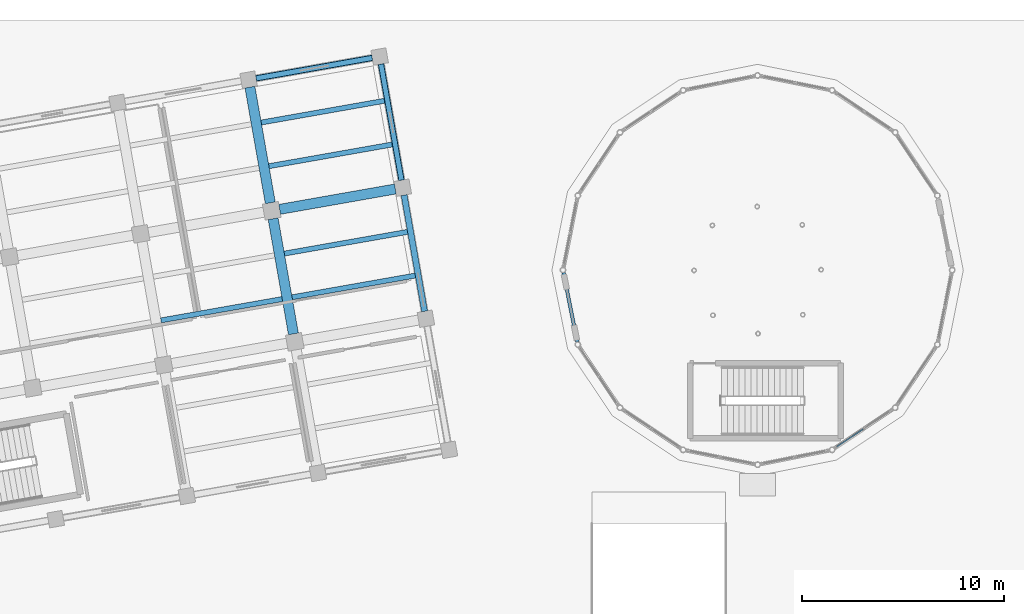
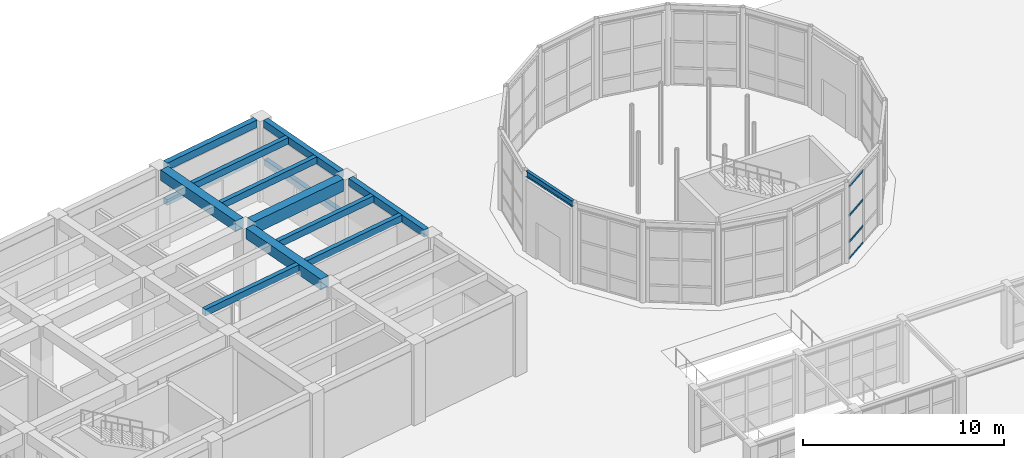
# One storey, part 15 of 57: 14 beams, 4 members, 1 element without a shape of its own.
"""IFC4 building model written with IfcOpenShell, lengths in metres."""

from ifc_helpers import new_model, si_unit, direction, frame, origin, origin_2d, place, context, subcontext, project, spatial, rectangle, hollow_rectangle, i_section, extrude, material, layer, layer_set, material_profile, profile_set, type_object, element, aggregate, save


model = new_model("IFC4")

# Units and contexts
model_context = context("Model", 3, precision=1e-05, world=origin(), true_north=direction((0.0, 1.0)))
body_context = subcontext(model_context, "Body", "Model", "MODEL_VIEW")
ifc_project = project(units=[si_unit("LENGTHUNIT", "METRE"), si_unit("AREAUNIT", "SQUARE_METRE"), si_unit("VOLUMEUNIT", "CUBIC_METRE"), si_unit("PLANEANGLEUNIT", "RADIAN"), si_unit("MASSUNIT", "GRAM", prefix="KILO")], contexts=[model_context])

# Site, building, storey
site_placement = place(None, origin())
site = spatial("IfcSite", under=ifc_project, at=site_placement, CompositionType="ELEMENT")
building_placement = place(site_placement, origin())
building = spatial("IfcBuilding", under=site, at=building_placement, Name="Kharisveld Research Institute", CompositionType="ELEMENT")
storey_placement = place(building_placement, origin())
storey = spatial("IfcBuildingStorey", under=building, at=storey_placement, Name="L00", CompositionType="ELEMENT", Elevation=0.0)

# Beams
ifc_material_1 = material(Name="Concrete C40/50", Category="concrete")
ifc_material_profile_1 = material_profile(ifc_material_1, rectangle(XDim=0.5, YDim=0.64990234375, at=origin_2d()))
ifc_profile_set_1 = profile_set([ifc_material_profile_1], Name="Concrete C40/50")
beam_type_1 = type_object("IfcBeamType", Name="BM_RC_500x650", PredefinedType="BEAM", material=ifc_profile_set_1)
beam_1_placement = place(storey_placement, frame((36.483154296875, 47.634033203125, 4.594970703125), z_axis=(-0.17363405094, 0.984810243831, 0.0), x_axis=(-0.984810243831, -0.17363405094, 0.0)))
element("IfcBeam", 1, at=beam_1_placement, inside=storey, type_object=beam_type_1, Name="BM:V1:L00:V5_1", PredefinedType="BEAM", context=body_context, shape_type="SweptSolid", body=[
    extrude(rectangle(XDim=0.5, YDim=0.64990234375, at=origin_2d()), origin(), (0.0, 0.0, 1.0), 5.800048828125),
])
beam_2_placement = place(storey_placement, frame((35.337158203125, 54.1337890625, 4.594970703125), z_axis=(-0.173682522459, 0.984801696481, 0.0), x_axis=(-0.984801696481, -0.173682522459, 0.0)))
element("IfcBeam", 2, at=beam_2_placement, inside=storey, type_object=beam_type_1, Name="BM:V1:L00:V5_2", PredefinedType="BEAM", context=body_context, shape_type="SweptSolid", body=[
    extrude(rectangle(XDim=0.5, YDim=0.64990234375, at=origin_2d()), origin(), (0.0, 0.0, 1.0), 5.8251953125),
])
ifc_material_2 = material(Name="Concrete C40/50", Category="concrete")
ifc_material_profile_2 = material_profile(ifc_material_2, rectangle(XDim=0.5, YDim=0.75, at=origin_2d()))
ifc_profile_set_2 = profile_set([ifc_material_profile_2], Name="Concrete C40/50")
beam_type_2 = type_object("IfcBeamType", Name="BM_RC_500x750", PredefinedType="BEAM", material=ifc_profile_set_2)
beam_3_placement = place(storey_placement, frame((35.800537109375, 53.809326171875, 4.544921875), z_axis=(0.984807600618, 0.173649041937, 0.0), x_axis=(-0.173649041937, 0.984807600618, 0.0)))
element("IfcBeam", 3, at=beam_3_placement, inside=storey, type_object=beam_type_2, Name="BM:V1:L00:U5_2", PredefinedType="BEAM", context=body_context, shape_type="SweptSolid", body=[
    extrude(rectangle(XDim=0.5, YDim=0.75, at=origin_2d()), origin(), (0.0, 0.0, 1.0), 5.82470703125),
])
ifc_material_3 = material(Name="Steel S355JR", Category="steel")
ifc_material_profile_3 = material_profile(ifc_material_3, i_section(OverallWidth=0.169921875, OverallDepth=0.360107421875, WebThickness=0.008056640625, FlangeThickness=0.0126953125, at=origin_2d()))
ifc_profile_set_3 = profile_set([ifc_material_profile_3], Name="Steel S355JR")
beam_type_3 = type_object("IfcBeamType", Name="BM_ST_IPE360", PredefinedType="BEAM", material=ifc_profile_set_3)
beam_4_placement = place(storey_placement, frame((49.876708984375, 50.666015625, 4.739990234375), z_axis=(0.195053898644, -0.980792524759, 0.0), x_axis=(0.980792524759, 0.195053898644, 0.0)))
element("IfcBeam", 4, at=beam_4_placement, inside=storey, type_object=beam_type_3, Name="BM:V6:L00:RING08", PredefinedType="BEAM", context=body_context, shape_type="SweptSolid", body=[
    extrude(i_section(OverallWidth=0.169921875, OverallDepth=0.360107421875, WebThickness=0.008056640625, FlangeThickness=0.0126953125, at=origin_2d()), origin(), (0.0, 0.0, 1.0), 3.4921875),
])

# Curtain wall, members
ifc_material_4 = material(Name="Thermally Broken Aluminium Curtain Wall", Category="aluminium")
ifc_layer = layer(ifc_material_4, 0.159912109375)
ifc_layer_set = layer_set([ifc_layer], Name="CW_SYS_04")
curtain_wall_type = type_object("IfcCurtainWallType", Name="CW_SYS_04", PredefinedType="NOTDEFINED", material=ifc_layer_set)
curtain_wall_placement = place(storey_placement, origin())
curtain_wall = element("IfcCurtainWall", 5, at=curtain_wall_placement, inside=storey, type_object=curtain_wall_type, Name="CW:V6:L00:CHORD13", PredefinedType="NOTDEFINED")
ifc_material_5 = material(Name="Anodised Aluminium AW-6063-T6", Category="aluminium")
ifc_material_profile_4 = material_profile(ifc_material_5, hollow_rectangle(XDim=0.06005859375, YDim=0.1201171875, WallThickness=0.00390625, at=origin_2d()))
ifc_profile_set_4 = profile_set([ifc_material_profile_4], Name="Anodised Aluminium AW-6063-T6")
member_type = type_object("IfcMemberType", Name="CW_TRN_120", PredefinedType="USERDEFINED", material=ifc_profile_set_4)
member_1_placement = place(storey_placement, frame((64.731201171875, 42.912353515625, 0.030029296875), z_axis=(-0.831451738652, -0.555596981897, 0.0), x_axis=(0.555596981897, -0.831451738652, 0.0)))
member_1 = element("IfcMember", 6, at=member_1_placement, type_object=member_type, Name="CW-04 transom 2.1", ObjectType="TRANSOM", PredefinedType="USERDEFINED", context=body_context, shape_type="SweptSolid", body=[
    extrude(hollow_rectangle(XDim=0.06005859375, YDim=0.1201171875, WallThickness=0.00390625, at=origin_2d()), origin(), (0.0, 0.0, 1.0), 1.570068359375),
])
member_2_placement = place(storey_placement, frame((64.731201171875, 42.912353515625, 1.050048828125), z_axis=(-0.831451738652, -0.555596981897, 0.0), x_axis=(0.555596981897, -0.831451738652, 0.0)))
member_2 = element("IfcMember", 7, at=member_2_placement, type_object=member_type, Name="CW-04 transom 2.2", ObjectType="TRANSOM", PredefinedType="USERDEFINED", context=body_context, shape_type="SweptSolid", body=[
    extrude(hollow_rectangle(XDim=0.06005859375, YDim=0.1201171875, WallThickness=0.00390625, at=origin_2d()), origin(), (0.0, 0.0, 1.0), 1.570068359375),
])
member_3_placement = place(storey_placement, frame((64.731201171875, 42.912353515625, 2.64990234375), z_axis=(-0.831451738652, -0.555596981897, 0.0), x_axis=(0.555596981897, -0.831451738652, 0.0)))
member_3 = element("IfcMember", 8, at=member_3_placement, type_object=member_type, Name="CW-04 transom 2.3", ObjectType="TRANSOM", PredefinedType="USERDEFINED", context=body_context, shape_type="SweptSolid", body=[
    extrude(hollow_rectangle(XDim=0.06005859375, YDim=0.1201171875, WallThickness=0.00390625, at=origin_2d()), origin(), (0.0, 0.0, 1.0), 1.570068359375),
])
member_4_placement = place(storey_placement, frame((64.731201171875, 42.912353515625, 4.419921875), z_axis=(-0.831451738652, -0.555596981897, 0.0), x_axis=(0.555596981897, -0.831451738652, 0.0)))
member_4 = element("IfcMember", 9, at=member_4_placement, type_object=member_type, Name="CW-04 transom 2.4", ObjectType="TRANSOM", PredefinedType="USERDEFINED", context=body_context, shape_type="SweptSolid", body=[
    extrude(hollow_rectangle(XDim=0.06005859375, YDim=0.1201171875, WallThickness=0.00390625, at=origin_2d()), origin(), (0.0, 0.0, 1.0), 1.570068359375),
])
aggregate(curtain_wall, [member_1, member_2, member_3, member_4])

# Beams
ifc_material_6 = material(Name="Concrete C35/45", Category="concrete")
ifc_material_profile_5 = material_profile(ifc_material_6, rectangle(XDim=0.260009765625, YDim=0.360107421875, at=origin_2d()))
ifc_profile_set_5 = profile_set([ifc_material_profile_5], Name="Concrete C35/45")
beam_type_4 = type_object("IfcBeamType", Name="LN_RC_260x360", PredefinedType="LINTEL", material=ifc_profile_set_5)
for number, where, z_axis, x_axis, name in (
    (10, (34.634765625, 60.3056640625, 2.5), (0.984813004945, 0.173618389843, 0.0), (-0.173618389843, 0.984813004945, 0.0), "BM:V1:L00:LINTEL_N5"),
    (11, (40.826171875, 61.011474609375, 2.35009765625), (0.173658934779, -0.984805856183, 0.0), (0.984805856183, 0.173658934779, 0.0), "BM:V1:L00:LINTEL_E3"),
):
    element("IfcBeam", number, at=place(storey_placement, frame(where, z_axis=z_axis, x_axis=x_axis)), inside=storey, type_object=beam_type_4, Name=name, PredefinedType="LINTEL", context=body_context, shape_type="SweptSolid", body=[
        extrude(rectangle(XDim=0.260009765625, YDim=0.360107421875, at=origin_2d()), origin(), (0.0, 0.0, 1.0), 5.83984375),
    ])
ifc_material_7 = material(Name="Concrete C40/50", Category="concrete")
ifc_material_profile_6 = material_profile(ifc_material_7, rectangle(XDim=0.300048828125, YDim=0.449951171875, at=origin_2d()))
ifc_profile_set_6 = profile_set([ifc_material_profile_6], Name="Concrete C40/50")
beam_type_5 = type_object("IfcBeamType", Name="SP_RC_300x450", PredefinedType="SPANDREL", material=ifc_profile_set_6)
beam_5_placement = place(storey_placement, frame((34.629638671875, 60.3046875, 4.695068359375), z_axis=(0.984807496737, 0.173649631067, 0.0), x_axis=(-0.173649631067, 0.984807496737, 0.0)))
element("IfcBeam", 12, at=beam_5_placement, inside=storey, type_object=beam_type_5, Name="BM:V1:L00:U5_3", PredefinedType="SPANDREL", context=body_context, shape_type="SweptSolid", body=[
    extrude(rectangle(XDim=0.300048828125, YDim=0.449951171875, at=origin_2d()), origin(), (0.0, 0.0, 1.0), 5.85009765625),
])
beam_6_placement = place(storey_placement, frame((42.9873046875, 48.755615234375, 4.695068359375), z_axis=(-0.17365676812, 0.984806238245, 0.0), x_axis=(-0.984806238245, -0.17365676812, 0.0)))
element("IfcBeam", 13, at=beam_6_placement, inside=storey, type_object=beam_type_5, Name="BM:V1:L00:V6_1", PredefinedType="SPANDREL", context=body_context, shape_type="SweptSolid", body=[
    extrude(rectangle(XDim=0.300048828125, YDim=0.449951171875, at=origin_2d()), origin(), (0.0, 0.0, 1.0), 5.849853515625),
])
beam_7_placement = place(storey_placement, frame((41.841064453125, 55.255126953125, 4.695068359375), z_axis=(-0.173649631067, 0.984807496737, 0.0), x_axis=(-0.984807496737, -0.173649631067, 0.0)))
element("IfcBeam", 14, at=beam_7_placement, inside=storey, type_object=beam_type_5, Name="BM:V1:L00:V6_2", PredefinedType="SPANDREL", context=body_context, shape_type="SweptSolid", body=[
    extrude(rectangle(XDim=0.300048828125, YDim=0.449951171875, at=origin_2d()), origin(), (0.0, 0.0, 1.0), 5.85009765625),
])
ifc_material_8 = material(Name="Concrete C40/50", Category="concrete")
ifc_material_profile_7 = material_profile(ifc_material_8, rectangle(XDim=0.25, YDim=0.39990234375, at=origin_2d()))
ifc_profile_set_7 = profile_set([ifc_material_profile_7], Name="Concrete C40/50")
beam_type_6 = type_object("IfcBeamType", Name="WB_RC_250x400", PredefinedType="JOIST", material=ifc_profile_set_7)
beam_8_placement = place(storey_placement, frame((29.9169921875, 48.303955078125, 4.719970703125), z_axis=(0.984805711192, 0.173659757005, 0.0), x_axis=(-0.173659757005, 0.984805711192, 0.0)))
element("IfcBeam", 15, at=beam_8_placement, inside=storey, type_object=beam_type_6, Name="BM:V1:L00:J_4_1_R1", PredefinedType="JOIST", context=body_context, shape_type="SweptSolid", body=[
    extrude(rectangle(XDim=0.25, YDim=0.39990234375, at=origin_2d()), origin(), (0.0, 0.0, 1.0), 6.10009765625),
])
beam_9_placement = place(storey_placement, frame((36.416748046875, 49.4501953125, 4.719970703125), z_axis=(0.984812880329, 0.1736190967, 0.0), x_axis=(-0.1736190967, 0.984812880329, 0.0)))
element("IfcBeam", 16, at=beam_9_placement, inside=storey, type_object=beam_type_6, Name="BM:V1:L00:J_5_1_R1", PredefinedType="JOIST", context=body_context, shape_type="SweptSolid", body=[
    extrude(rectangle(XDim=0.25, YDim=0.39990234375, at=origin_2d()), origin(), (0.0, 0.0, 1.0), 6.199951171875),
])
beam_10_placement = place(storey_placement, frame((36.03466796875, 51.61669921875, 4.719970703125), z_axis=(0.984807334084, 0.173650553511, 0.0), x_axis=(-0.173650553511, 0.984807334084, 0.0)))
element("IfcBeam", 17, at=beam_10_placement, inside=storey, type_object=beam_type_6, Name="BM:V1:L00:J_5_1_R2", PredefinedType="JOIST", context=body_context, shape_type="SweptSolid", body=[
    extrude(rectangle(XDim=0.25, YDim=0.39990234375, at=origin_2d()), origin(), (0.0, 0.0, 1.0), 6.2001953125),
])
for number, where, z_axis, x_axis, name in (
    (18, (35.270751953125, 55.949951171875, 4.719970703125), (0.984812880329, 0.1736190967, 0.0), (-0.1736190967, 0.984812880329, 0.0), "BM:V1:L00:J_5_2_R1"),
    (19, (34.888671875, 58.116455078125, 4.719970703125), (0.984806146634, 0.173657287643, 0.0), (-0.173657287643, 0.984806146634, 0.0), "BM:V1:L00:J_5_2_R2"),
):
    element("IfcBeam", number, at=place(storey_placement, frame(where, z_axis=z_axis, x_axis=x_axis)), inside=storey, type_object=beam_type_6, Name=name, PredefinedType="JOIST", context=body_context, shape_type="SweptSolid", body=[
        extrude(rectangle(XDim=0.25, YDim=0.39990234375, at=origin_2d()), origin(), (0.0, 0.0, 1.0), 6.199951171875),
    ])

save(model, "model.ifc")
